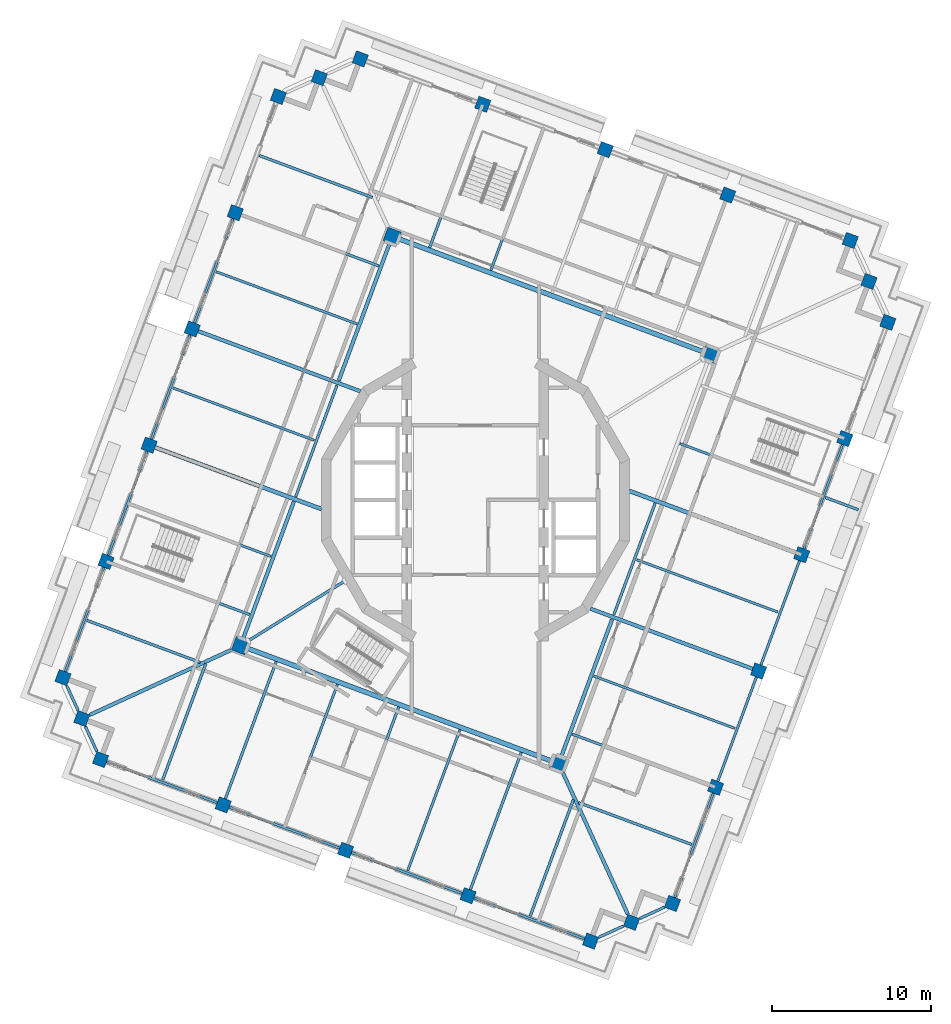
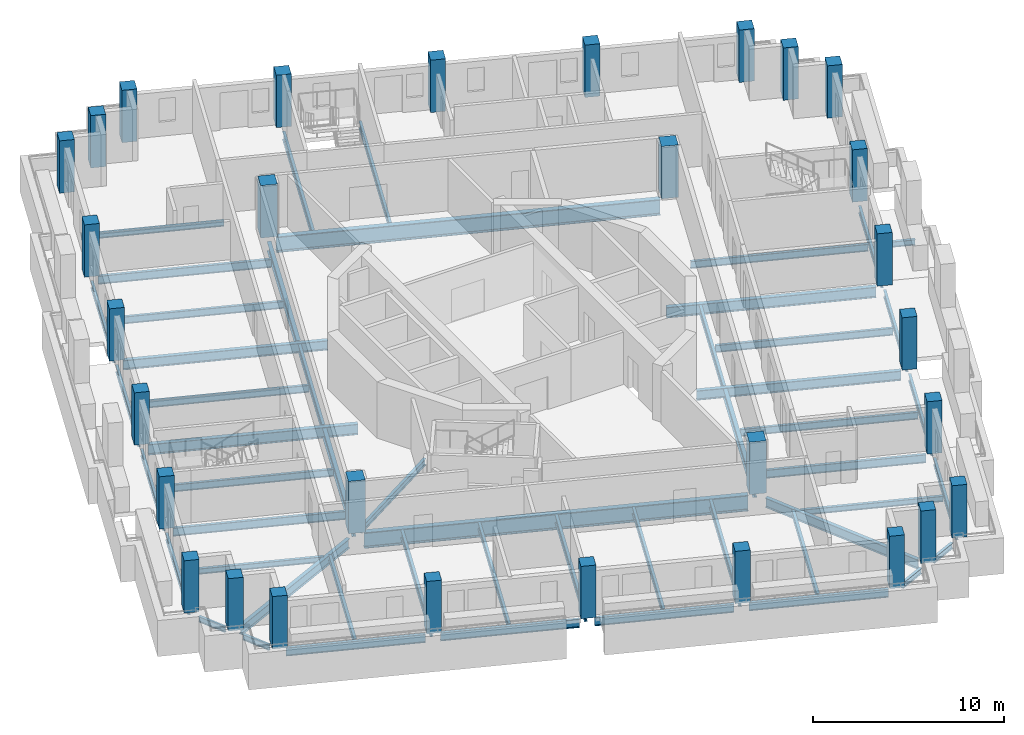
# One storey, part 1 of 18: 52 beams, 30 columns.
"""IFC4 building model written with IfcOpenShell, lengths in metres."""

import ifcopenshell
import ifcopenshell.guid

model = None  # the IFC model being written
_history = None  # IfcOwnerHistory: only IFC2X3 demands one
_inside = {}  # id of a spatial element -> (the spatial element, [elements in it])
_under = {}  # id of a project, library or spatial element -> (it, [spatial elements below it])
_declared = {}  # id of a project -> (the project, [libraries it declares])
_typed = {}  # id of a type object -> (the type object, [elements of that type])
_made_of = {}  # id of a material, layer set ... -> (it, [elements and type objects made of it])


def new_model(schema):
    """Start an empty IFC model of exactly this schema.

    Asked for "IFC4X3", IfcOpenShell would pick the latest addendum, in which some entities
    have other attributes; the version numbers below select the first issue.
    IFC2X3 requires an IfcOwnerHistory on every rooted entity: one is made here for all.
    """
    global model, _history
    if schema == "IFC4X3":
        model = ifcopenshell.file(schema_version=(4, 3, 0, 0))
    else:
        model = ifcopenshell.file(schema=schema)
    _inside.clear()
    _under.clear()
    _declared.clear()
    _typed.clear()
    _made_of.clear()
    _history = None
    if model.schema == "IFC2X3":
        org = make("IfcOrganization", Name="unknown")
        user = make(
            "IfcPersonAndOrganization",
            ThePerson=make("IfcPerson", FamilyName="unknown"),
            TheOrganization=org,
        )
        app = make(
            "IfcApplication",
            ApplicationDeveloper=org,
            Version="unknown",
            ApplicationFullName="unknown",
            ApplicationIdentifier="unknown",
        )
        _history = make(
            "IfcOwnerHistory",
            OwningUser=user,
            OwningApplication=app,
            ChangeAction="ADDED",
            CreationDate=0,
        )
    return model


def make(cls, **values):
    """One entity of the class cls with the attributes given. An attribute that is None is left unset."""
    return model.create_entity(
        cls, **{name: value for name, value in values.items() if value is not None}
    )


def rooted(cls, **values):
    """An entity with a GlobalId (a new one), such as an element, a storey or a relation."""
    return make(cls, GlobalId=ifcopenshell.guid.new(), OwnerHistory=_history, **values)


def si_unit(unit_type, name, prefix=None):
    """IfcSIUnit, for example si_unit("LENGTHUNIT", "METRE", prefix="MILLI")."""
    return make("IfcSIUnit", UnitType=unit_type, Prefix=prefix, Name=name)


def assignment(units):
    """IfcUnitAssignment: the units of a project."""
    return None if units is None else make("IfcUnitAssignment", Units=units)


def point(xyz):
    """IfcCartesianPoint."""
    return None if xyz is None else make("IfcCartesianPoint", Coordinates=xyz)


def direction(xyz):
    """IfcDirection."""
    return None if xyz is None else make("IfcDirection", DirectionRatios=xyz)


def frame(location, z_axis=None, x_axis=None):
    """IfcAxis2Placement3D, a coordinate frame: its origin and axes. An axis left out is left unset."""
    return make(
        "IfcAxis2Placement3D",
        Location=point(location),
        Axis=direction(z_axis),
        RefDirection=direction(x_axis),
    )


def frame_2d(location, x_axis=None):
    """IfcAxis2Placement2D, a coordinate frame in the plane: its origin and x axis."""
    return make(
        "IfcAxis2Placement2D", Location=point(location), RefDirection=direction(x_axis)
    )


def origin():
    """The frame at (0, 0, 0) with its axes left unset."""
    return frame((0.0, 0.0, 0.0))


def origin_2d():
    """The frame at (0, 0) in the plane with its x axis left unset."""
    return frame_2d((0.0, 0.0))


def place(relative_to, where):
    """IfcLocalPlacement: puts the frame where relative to a parent placement (None: the world)."""
    return make(
        "IfcLocalPlacement", PlacementRelTo=relative_to, RelativePlacement=where
    )


def context(
    kind, dimensions, precision=None, world=None, true_north=None, identifier=None
):
    """IfcGeometricRepresentationContext, for example the 3D "Model" context."""
    return make(
        "IfcGeometricRepresentationContext",
        ContextIdentifier=identifier,
        ContextType=kind,
        CoordinateSpaceDimension=dimensions,
        Precision=precision,
        WorldCoordinateSystem=world,
        TrueNorth=true_north,
    )


def subcontext(parent, identifier, kind, view, scale=None):
    """IfcGeometricRepresentationSubContext, for example "Body" below "Model"."""
    return make(
        "IfcGeometricRepresentationSubContext",
        ContextIdentifier=identifier,
        ContextType=kind,
        ParentContext=parent,
        TargetScale=scale,
        TargetView=view,
    )


def project(units=None, contexts=None):
    """IfcProject with its units and contexts."""
    return rooted(
        "IfcProject",
        Name="project",
        RepresentationContexts=contexts,
        UnitsInContext=assignment(units),
    )


def spatial(cls, under=None, at=None, **own):
    """A site, building, storey or space (cls), placed at a placement, below another one or the project."""
    s = rooted(cls, ObjectPlacement=at, **own)
    if under is not None:
        _under.setdefault(under.id(), (under, []))[1].append(s)
    return s


def profile(cls, at=None, kind="AREA", **sizes):
    """A parametric profile (cls). Its sizes go by their IFC names, for example OverallWidth=200.0."""
    return make(cls, ProfileType=kind, Position=at, **sizes)


def rectangle(**sizes):
    """IfcRectangleProfileDef."""
    return profile("IfcRectangleProfileDef", **sizes)


def i_section(**sizes):
    """IfcIShapeProfileDef."""
    return profile("IfcIShapeProfileDef", **sizes)


def extrude(swept, where, along, depth):
    """IfcExtrudedAreaSolid: the profile swept, set in the frame where, extruded along a direction by depth."""
    return make(
        "IfcExtrudedAreaSolid",
        SweptArea=swept,
        Position=where,
        ExtrudedDirection=direction(along),
        Depth=depth,
    )


def shape(context_of_items, identifier, shape_type, items):
    """IfcShapeRepresentation: the items that make up one representation, for example the "Body"."""
    return make(
        "IfcShapeRepresentation",
        ContextOfItems=context_of_items,
        RepresentationIdentifier=identifier,
        RepresentationType=shape_type,
        Items=items,
    )


def material(Name=None, Category=None):
    """IfcMaterial."""
    return make("IfcMaterial", Name=Name, Category=Category)


def material_profile(
    of_material, cross_section, Name=None, Category=None, Priority=None
):
    """IfcMaterialProfile: a cross section and its material."""
    return make(
        "IfcMaterialProfile",
        Name=Name,
        Material=of_material,
        Profile=cross_section,
        Priority=Priority,
        Category=Category,
    )


def profile_set(profiles, Name=None, composite=None):
    """IfcMaterialProfileSet."""
    return make(
        "IfcMaterialProfileSet",
        Name=Name,
        MaterialProfiles=profiles,
        CompositeProfile=composite,
    )


def made_of(thing, what):
    """Note that an element or type object is made of a material, layer set ...; save() writes the relation."""
    if what is not None:
        _made_of.setdefault(what.id(), (what, []))[1].append(thing)
    return thing


def type_object(cls, material=None, **own):
    """A type object (cls), such as IfcWallType, which elements share."""
    return made_of(rooted(cls, **own), material)


def element(
    cls,
    number,
    at=None,
    inside=None,
    cuts=None,
    type_object=None,
    material=None,
    context=None,
    identifier="Body",
    shape_type=None,
    held_by="IfcProductDefinitionShape",
    body=None,
    shapes=None,
    **own,
):
    """One element of the class cls, such as IfcWall. Its Tag is "e" and its number.

    at: its placement. inside: the storey or other place that contains it. cuts: it is an
    opening in that element (IfcRelVoidsElement). A single representation is given by context,
    identifier, shape_type and body (its items); several are given by shapes. held_by: the class
    of the entity that holds the representations. save() writes the other relations.
    """
    e = rooted(cls, Tag="e%d" % number, ObjectPlacement=at, **own)
    if body is not None:
        shapes = [shape(context, identifier, shape_type, body)]
    if shapes is not None:
        e.Representation = make(held_by, Representations=shapes)
    if inside is not None:
        _inside.setdefault(inside.id(), (inside, []))[1].append(e)
    if cuts is not None:
        rooted(
            "IfcRelVoidsElement", RelatingBuildingElement=cuts, RelatedOpeningElement=e
        )
    if type_object is not None:
        _typed.setdefault(type_object.id(), (type_object, []))[1].append(e)
    return made_of(e, material)


def aggregate(whole, parts):
    """IfcRelAggregates: a whole, such as a stair, and the parts it consists of."""
    return rooted("IfcRelAggregates", RelatingObject=whole, RelatedObjects=parts)


def save(model, path):
    """Write the relations noted so far, then the file.

    IfcRelAggregates (storeys below a building ...), IfcRelContainedInSpatialStructure (elements
    in a storey), IfcRelDefinesByType, IfcRelAssociatesMaterial and IfcRelDeclares: one each for
    every whole, place, type object, material and project.
    """
    for whole, parts in _under.values():
        aggregate(whole, parts)
    for where, things in _inside.values():
        rooted(
            "IfcRelContainedInSpatialStructure",
            RelatedElements=things,
            RelatingStructure=where,
        )
    for kind, things in _typed.values():
        rooted("IfcRelDefinesByType", RelatedObjects=things, RelatingType=kind)
    for what, things in _made_of.values():
        rooted("IfcRelAssociatesMaterial", RelatedObjects=things, RelatingMaterial=what)
    for by, libraries in _declared.values():
        rooted("IfcRelDeclares", RelatingContext=by, RelatedDefinitions=libraries)
    model.write(path)


model = new_model("IFC4")

# Units and contexts
model_context = context("Model", 3, precision=1e-05, world=origin(), true_north=direction((0.0, 1.0)))
body_context = subcontext(model_context, "Body", "Model", "MODEL_VIEW")
ifc_project = project(units=[si_unit("LENGTHUNIT", "METRE"), si_unit("AREAUNIT", "SQUARE_METRE"), si_unit("VOLUMEUNIT", "CUBIC_METRE"), si_unit("PLANEANGLEUNIT", "RADIAN"), si_unit("MASSUNIT", "GRAM", prefix="KILO")], contexts=[model_context])

# Site, building, storey
site_placement = place(None, origin())
site = spatial("IfcSite", under=ifc_project, at=site_placement, CompositionType="ELEMENT")
building_placement = place(site_placement, origin())
building = spatial("IfcBuilding", under=site, at=building_placement, Name="Cantera Rosa Tower", CompositionType="ELEMENT")
storey_placement = place(building_placement, frame((0.0, 0.0, 338.5)))
storey = spatial("IfcBuildingStorey", under=building, at=storey_placement, Name="L76", CompositionType="ELEMENT", Elevation=338.5)

# Columns
ifc_material_1 = material(Name="Concrete C50/60", Category="concrete")
ifc_material_profile_1 = material_profile(ifc_material_1, rectangle(XDim=0.800048828125, YDim=0.800048828125, at=origin_2d()), Name="RC COLUMN RC800X800 C50/60")
ifc_profile_set_1 = profile_set([ifc_material_profile_1], Name="Concrete C50/60")
column_type_1 = type_object("IfcColumnType", Name="RC COLUMN RC800X800 C50/60", PredefinedType="COLUMN", material=ifc_profile_set_1)
for number, where, z_axis, x_axis, name in (
    (1, (23.526611328125, 16.2900390625, 0.0), (0.0, 0.0, 1.0), (0.347481234489, 0.937686936924, 0.0), "C-Z6-01 L76"),
    (2, (15.83740234375, 19.139404296875, 0.0), (0.0, 0.0, 1.0), (0.347481234489, 0.937686936924, 0.0), "C-Z6-02 L76"),
    (3, (8.1484375, 21.98876953125, 0.0), (0.0, 0.0, 1.0), (0.347481234489, 0.937686936924, 0.0), "C-Z6-03 L76"),
    (4, (0.45947265625, 24.838134765625, 0.0), (0.0, 0.0, 1.0), (0.347481234489, 0.937686936924, 0.0), "C-Z6-04 L76"),
    (5, (-7.229736328125, 27.6875, 0.0), (0.0, 0.0, 1.0), (0.347481234489, 0.937686936924, 0.0), "C-Z6-05 L76"),
    (6, (-9.800048828125, 26.507080078125, 0.0), (0.0, 0.0, 1.0), (0.347481234489, 0.937686936924, 0.0), "C-Z6-06 L76"),
    (7, (-12.370361328125, 25.32666015625, 0.0), (0.0, 0.0, 1.0), (0.347481234489, 0.937686936924, 0.0), "C-Z6-07 L76"),
    (8, (-15.07373046875, 18.031494140625, 0.0), (0.0, 0.0, 1.0), (0.347481234489, 0.937686936924, 0.0), "C-Z6-08 L76"),
    (9, (-17.777099609375, 10.736328125, 0.0), (0.0, 0.0, 1.0), (0.347481234489, 0.937686936924, 0.0), "C-Z6-09 L76"),
    (10, (-20.48046875, 3.44091796875, 0.0), (0.0, 0.0, 1.0), (0.347481234489, 0.937686936924, 0.0), "C-Z6-10 L76"),
    (11, (-23.183837890625, -3.854248046875, 0.0), (0.0, 0.0, 1.0), (0.347481234489, 0.937686936924, 0.0), "C-Z6-11 L76"),
    (12, (-25.88720703125, -11.1494140625, 0.0), (0.0, 0.0, 1.0), (0.347481234489, 0.937686936924, 0.0), "C-Z6-12 L76"),
    (13, (-24.70703125, -13.7197265625, 0.0), (0.0, 0.0, 1.0), (0.347481234489, 0.937686936924, 0.0), "C-Z6-13 L76"),
    (14, (-23.526611328125, -16.2900390625, 0.0), (0.0, 0.0, 1.0), (0.347481234489, 0.937686936924, 0.0), "C-Z6-14 L76"),
    (15, (-15.83740234375, -19.139404296875, 0.0), (0.0, 0.0, 1.0), (0.347481234489, 0.937686936924, 0.0), "C-Z6-15 L76"),
    (16, (-8.1484375, -21.98876953125, 0.0), (0.0, 0.0, 1.0), (0.347481234489, 0.937686936924, 0.0), "C-Z6-16 L76"),
    (17, (-0.45947265625, -24.838134765625, 0.0), (0.0, 0.0, 1.0), (0.347481234489, 0.937686936924, 0.0), "C-Z6-17 L76"),
    (18, (7.229736328125, -27.6875, 0.0), (0.0, 0.0, 1.0), (0.347481234489, 0.937686936924, 0.0), "C-Z6-18 L76"),
    (19, (9.800048828125, -26.507080078125, 0.0), (0.0, 0.0, 1.0), (0.347481234489, 0.937686936924, 0.0), "C-Z6-19 L76"),
    (20, (12.370361328125, -25.32666015625, 0.0), (0.0, 0.0, 1.0), (0.347481234489, 0.937686936924, 0.0), "C-Z6-20 L76"),
    (21, (15.07373046875, -18.031494140625, 0.0), (0.0, 0.0, 1.0), (0.347481234489, 0.937686936924, 0.0), "C-Z6-21 L76"),
    (22, (17.777099609375, -10.736328125, 0.0), (0.0, 0.0, 1.0), (0.347481234489, 0.937686936924, 0.0), "C-Z6-22 L76"),
    (23, (20.48046875, -3.44091796875, 0.0), (0.0, 0.0, 1.0), (0.347481234489, 0.937686936924, 0.0), "C-Z6-23 L76"),
    (24, (23.183837890625, 3.854248046875, 0.0), (0.0, 0.0, 1.0), (0.347481234489, 0.937686936924, 0.0), "C-Z6-24 L76"),
    (25, (25.88720703125, 11.1494140625, 0.0), (0.0, 0.0, 1.0), (0.347481234489, 0.937686936924, 0.0), "C-Z6-25 L76"),
    (26, (24.70703125, 13.7197265625, 0.0), (0.0, 0.0, 1.0), (0.347481234489, 0.937686936924, 0.0), "C-Z6-26 L76"),
):
    element("IfcColumn", number, at=place(storey_placement, frame(where, z_axis=z_axis, x_axis=x_axis)), inside=storey, type_object=column_type_1, Name=name, PredefinedType="COLUMN", context=body_context, shape_type="SweptSolid", body=[
        extrude(rectangle(XDim=0.800048828125, YDim=0.800048828125, at=origin_2d()), origin(), (0.0, 0.0, 1.0), 3.35009765625),
    ])
ifc_material_2 = material(Name="Concrete C50/60", Category="concrete")
ifc_material_profile_2 = material_profile(ifc_material_2, rectangle(XDim=0.89990234375, YDim=0.89990234375, at=origin_2d()), Name="RC RING COLUMN RC900X900 C50/60")
ifc_profile_set_2 = profile_set([ifc_material_profile_2], Name="Concrete C50/60")
column_type_2 = type_object("IfcColumnType", Name="RC RING COLUMN RC900X900 C50/60", PredefinedType="COLUMN", material=ifc_profile_set_2)
for number, where, z_axis, x_axis, name in (
    (27, (-5.225830078125, 16.546875, 0.0), (0.0, 0.0, 1.0), (0.347481234489, 0.937686936924, 0.0), "CI-Z6-1 L76"),
    (28, (-14.746826171875, -9.145751953125, 0.0), (0.0, 0.0, 1.0), (0.347481234489, 0.937686936924, 0.0), "CI-Z6-2 L76"),
    (29, (5.225830078125, -16.546875, 0.0), (0.0, 0.0, 1.0), (0.347481234489, 0.937686936924, 0.0), "CI-Z6-3 L76"),
    (30, (14.746826171875, 9.145751953125, 0.0), (0.0, 0.0, 1.0), (0.347481234489, 0.937686936924, 0.0), "CI-Z6-4 L76"),
):
    element("IfcColumn", number, at=place(storey_placement, frame(where, z_axis=z_axis, x_axis=x_axis)), inside=storey, type_object=column_type_2, Name=name, PredefinedType="COLUMN", context=body_context, shape_type="SweptSolid", body=[
        extrude(rectangle(XDim=0.89990234375, YDim=0.89990234375, at=origin_2d()), origin(), (0.0, 0.0, 1.0), 3.35009765625),
    ])

# Beams
ifc_material_3 = material(Name="Steel ASTM A992 (Fy 345 MPa)", Category="steel")
ifc_material_profile_3 = material_profile(ifc_material_3, i_section(OverallWidth=0.302001953125, OverallDepth=1.010009765625, WebThickness=0.02099609375, FlangeThickness=0.0400390625, FilletRadius=0.030029296875, at=origin_2d()), Name="W1000X350")
ifc_profile_set_3 = profile_set([ifc_material_profile_3], Name="Steel ASTM A992 (Fy 345 MPa)")
beam_type_1 = type_object("IfcBeamType", Name="STEEL BEAM W1000X350", PredefinedType="BEAM", material=ifc_profile_set_3)
for number, where, z_axis, x_axis, name in (
    (31, (14.324951171875, 9.302001953125, -0.7548828125), (-0.937687392162, 0.347480006017, 0.0), (-0.347480006017, -0.937687392162, 0.0), "RB-Z6-07 L76"),
    (32, (4.803955078125, -16.390625, -0.7548828125), (-0.937687392162, 0.347480006017, 0.0), (-0.347480006017, -0.937687392162, 0.0), "RB-Z6-08 L76"),
):
    element("IfcBeam", number, at=place(storey_placement, frame(where, z_axis=z_axis, x_axis=x_axis)), inside=storey, type_object=beam_type_1, Name=name, PredefinedType="BEAM", context=body_context, shape_type="SweptSolid", body=[
        extrude(i_section(OverallWidth=0.302001953125, OverallDepth=1.010009765625, WebThickness=0.02099609375, FlangeThickness=0.0400390625, FilletRadius=0.030029296875, at=origin_2d()), origin(), (0.0, 0.0, 1.0), 20.400146484375),
    ])
ifc_material_4 = material(Name="Steel ASTM A992 (Fy 345 MPa)", Category="steel")
ifc_material_profile_4 = material_profile(ifc_material_4, i_section(OverallWidth=0.177978515625, OverallDepth=0.406005859375, WebThickness=0.0078125, FlangeThickness=0.0126953125, FilletRadius=0.01025390625, at=origin_2d()), Name="W410X60")
ifc_profile_set_4 = profile_set([ifc_material_profile_4], Name="Steel ASTM A992 (Fy 345 MPa)")
beam_type_2 = type_object("IfcBeamType", Name="STEEL BEAM W410X60", PredefinedType="BEAM", material=ifc_profile_set_4)
beam_1_placement = place(storey_placement, frame((-14.262451171875, -8.84521484375, -0.452880859375), z_axis=(0.849840939707, 0.527039255841, 0.0), x_axis=(-0.527039255841, 0.849840939707, 0.0)))
element("IfcBeam", 33, at=beam_1_placement, inside=storey, type_object=beam_type_2, Name="PG-Z6-01 L76", PredefinedType="BEAM", context=body_context, shape_type="SweptSolid", body=[
    extrude(i_section(OverallWidth=0.177978515625, OverallDepth=0.406005859375, WebThickness=0.0078125, FlangeThickness=0.0126953125, FilletRadius=0.01025390625, at=origin_2d()), origin(), (0.0, 0.0, 1.0), 7.118408203125),
])
ifc_material_5 = material(Name="Steel ASTM A992 (Fy 345 MPa)", Category="steel")
ifc_material_profile_5 = material_profile(ifc_material_5, i_section(OverallWidth=0.166015625, OverallDepth=0.528076171875, WebThickness=0.009765625, FlangeThickness=0.013671875, FilletRadius=0.0126953125, at=origin_2d()), Name="W530X74")
ifc_profile_set_5 = profile_set([ifc_material_profile_5], Name="Steel ASTM A992 (Fy 345 MPa)")
beam_type_3 = type_object("IfcBeamType", Name="STEEL BEAM W530X74", PredefinedType="BEAM", material=ifc_profile_set_5)
for number, where, z_axis, x_axis, name in (
    (34, (0.3203125, 24.463134765625, -0.513916015625), (-0.347476838353, -0.937688566, 0.0), (0.937688566, -0.347476838353, 0.0), "G-Z6-03 L76"),
    (35, (-14.69873046875, 17.892333984375, -0.513916015625), (0.937688566, -0.347476838353, 0.0), (0.347476838353, 0.937688566, 0.0), "G-Z6-04 L76"),
    (36, (-22.808837890625, -3.9931640625, -0.513916015625), (0.937688566, -0.347476838353, 0.0), (0.347476838353, 0.937688566, 0.0), "G-Z6-07 L76"),
    (37, (14.69873046875, -17.892333984375, -0.513916015625), (-0.937688566, 0.347476838353, 0.0), (-0.347476838353, -0.937688566, 0.0), "G-Z6-08 L76"),
    (38, (-15.698486328125, -18.764404296875, -0.513916015625), (0.347476838353, 0.937688566, 0.0), (-0.937688566, 0.347476838353, 0.0), "G-Z6-12 L76"),
    (39, (-8.009521484375, -21.61376953125, -0.513916015625), (0.34750017104, 0.937679919337, 0.0), (-0.937679919337, 0.34750017104, 0.0), "G-Z6-13 L76"),
    (40, (-0.3203125, -24.463134765625, -0.513916015625), (0.347476838353, 0.937688566, 0.0), (-0.937688566, 0.347476838353, 0.0), "G-Z6-14 L76"),
):
    element("IfcBeam", number, at=place(storey_placement, frame(where, z_axis=z_axis, x_axis=x_axis)), inside=storey, type_object=beam_type_3, Name=name, PredefinedType="BEAM", context=body_context, shape_type="SweptSolid", body=[
        extrude(i_section(OverallWidth=0.166015625, OverallDepth=0.528076171875, WebThickness=0.009765625, FlangeThickness=0.013671875, FilletRadius=0.0126953125, at=origin_2d()), origin(), (0.0, 0.0, 1.0), 9.199951171875),
    ])
for number, where, z_axis, x_axis, name in (
    (41, (-11.285888671875, 0.19384765625, -0.513916015625), (0.347486566882, 0.937684960867, 0.0), (-0.937684960867, 0.347486566882, 0.0), "RB-Z6-02 L76"),
    (42, (8.686767578125, -7.20751953125, -0.513916015625), (0.347486566882, 0.937684960867, 0.0), (-0.937684960867, 0.347486566882, 0.0), "RB-Z6-05 L76"),
):
    element("IfcBeam", number, at=place(storey_placement, frame(where, z_axis=z_axis, x_axis=x_axis)), inside=storey, type_object=beam_type_3, Name=name, PredefinedType="BEAM", context=body_context, shape_type="SweptSolid", body=[
        extrude(i_section(OverallWidth=0.166015625, OverallDepth=0.528076171875, WebThickness=0.009765625, FlangeThickness=0.013671875, FilletRadius=0.0126953125, at=origin_2d()), origin(), (0.0, 0.0, 1.0), 7.479736328125),
    ])
ifc_material_6 = material(Name="Steel ASTM A992 (Fy 345 MPa)", Category="steel")
ifc_material_profile_6 = material_profile(ifc_material_6, i_section(OverallWidth=0.22802734375, OverallDepth=0.60205078125, WebThickness=0.010498046875, FlangeThickness=0.014892578125, FilletRadius=0.0126953125, at=origin_2d()), Name="W610X101")
ifc_profile_set_6 = profile_set([ifc_material_profile_6], Name="Steel ASTM A992 (Fy 345 MPa)")
beam_type_4 = type_object("IfcBeamType", Name="STEEL BEAM W610X101", PredefinedType="BEAM", material=ifc_profile_set_6)
for number, where, z_axis, x_axis, name in (
    (43, (-24.19287109375, -13.483642578125, -0.551025390625), (0.908747889595, 0.417345508131, 0.0), (-0.417345508131, 0.908747889595, 0.0), "CB-Z6-02 L76"),
    (44, (9.56396484375, -25.992919921875, -0.551025390625), (-0.417345508131, 0.908747889595, 0.0), (-0.908747889595, -0.417345508131, 0.0), "CB-Z6-03 L76"),
):
    element("IfcBeam", number, at=place(storey_placement, frame(where, z_axis=z_axis, x_axis=x_axis)), inside=storey, type_object=beam_type_4, Name=name, PredefinedType="BEAM", context=body_context, shape_type="SweptSolid", body=[
        extrude(i_section(OverallWidth=0.22802734375, OverallDepth=0.60205078125, WebThickness=0.010498046875, FlangeThickness=0.014892578125, FilletRadius=0.0126953125, at=origin_2d()), origin(), (0.0, 0.0, 1.0), 9.758056640625),
    ])
for number, where, z_axis, x_axis, name in (
    (45, (-14.590576171875, -8.7236328125, -0.551025390625), (0.347498244979, 0.937680633125, 0.0), (-0.937680633125, 0.347498244979, 0.0), "RB-Z6-01 L76"),
    (46, (-8.58251953125, 7.489013671875, -0.551025390625), (0.347474937304, 0.937689270465, 0.0), (-0.937689270465, 0.347474937304, 0.0), "RB-Z6-03 L76"),
    (47, (5.38232421875, -16.125, -0.551025390625), (0.347474937304, 0.937689270465, 0.0), (-0.937689270465, 0.347474937304, 0.0), "RB-Z6-04 L76"),
):
    element("IfcBeam", number, at=place(storey_placement, frame(where, z_axis=z_axis, x_axis=x_axis)), inside=storey, type_object=beam_type_4, Name=name, PredefinedType="BEAM", context=body_context, shape_type="SweptSolid", body=[
        extrude(i_section(OverallWidth=0.22802734375, OverallDepth=0.60205078125, WebThickness=0.010498046875, FlangeThickness=0.014892578125, FilletRadius=0.0126953125, at=origin_2d()), origin(), (0.0, 0.0, 1.0), 9.2099609375),
    ])
ifc_material_7 = material(Name="Steel ASTM A992 (Fy 345 MPa)", Category="steel")
ifc_material_profile_7 = material_profile(ifc_material_7, i_section(OverallWidth=0.22900390625, OverallDepth=0.612060546875, WebThickness=0.011962890625, FlangeThickness=0.01953125, FilletRadius=0.0126953125, at=origin_2d()), Name="W610X125")
ifc_profile_set_7 = profile_set([ifc_material_profile_7], Name="Steel ASTM A992 (Fy 345 MPa)")
beam_type_5 = type_object("IfcBeamType", Name="STEEL BEAM W610X125", PredefinedType="BEAM", material=ifc_profile_set_7)
for number, where, z_axis, x_axis, name in (
    (48, (-17.402099609375, 10.59716796875, -0.555908203125), (0.937686127687, -0.347483418229, 0.0), (0.347483418229, 0.937686127687, 0.0), "G-Z6-05 L76"),
    (49, (17.402099609375, -10.59716796875, -0.555908203125), (-0.937686127687, 0.347483418229, 0.0), (-0.347483418229, -0.937686127687, 0.0), "G-Z6-09 L76"),
):
    element("IfcBeam", number, at=place(storey_placement, frame(where, z_axis=z_axis, x_axis=x_axis)), inside=storey, type_object=beam_type_5, Name=name, PredefinedType="BEAM", context=body_context, shape_type="SweptSolid", body=[
        extrude(i_section(OverallWidth=0.22900390625, OverallDepth=0.612060546875, WebThickness=0.011962890625, FlangeThickness=0.01953125, FilletRadius=0.0126953125, at=origin_2d()), origin(), (0.0, 0.0, 1.0), 10.8642578125),
    ])
ifc_material_8 = material(Name="Steel ASTM A992 (Fy 345 MPa)", Category="steel")
ifc_material_profile_8 = material_profile(ifc_material_8, i_section(OverallWidth=0.25390625, OverallDepth=0.677978515625, WebThickness=0.01171875, FlangeThickness=0.016357421875, FilletRadius=0.01513671875, at=origin_2d()), Name="W690X125")
ifc_profile_set_8 = profile_set([ifc_material_profile_8], Name="Steel ASTM A992 (Fy 345 MPa)")
beam_type_6 = type_object("IfcBeamType", Name="STEEL BEAM W690X125", PredefinedType="BEAM", material=ifc_profile_set_8)
for number, where, z_axis, x_axis, name in (
    (50, (-20.10546875, 3.302001953125, -0.589111328125), (0.937687416585, -0.347479940109, 0.0), (0.347479940109, 0.937687416585, 0.0), "G-Z6-06 L76"),
    (51, (20.10546875, -3.302001953125, -0.589111328125), (-0.937687416585, 0.347479940109, 0.0), (-0.347479940109, -0.937687416585, 0.0), "G-Z6-10 L76"),
):
    element("IfcBeam", number, at=place(storey_placement, frame(where, z_axis=z_axis, x_axis=x_axis)), inside=storey, type_object=beam_type_6, Name=name, PredefinedType="BEAM", context=body_context, shape_type="SweptSolid", body=[
        extrude(i_section(OverallWidth=0.25390625, OverallDepth=0.677978515625, WebThickness=0.01171875, FlangeThickness=0.016357421875, FilletRadius=0.01513671875, at=origin_2d()), origin(), (0.0, 0.0, 1.0), 11.140380859375),
    ])
ifc_material_9 = material(Name="Steel ASTM A992 (Fy 345 MPa)", Category="steel")
ifc_material_profile_9 = material_profile(ifc_material_9, i_section(OverallWidth=0.1708984375, OverallDepth=0.35595703125, WebThickness=0.00732421875, FlangeThickness=0.01171875, FilletRadius=0.010009765625, at=origin_2d()), Name="W360X51")
ifc_profile_set_9 = profile_set([ifc_material_profile_9], Name="Steel ASTM A992 (Fy 345 MPa)")
beam_type_7 = type_object("IfcBeamType", Name="STEEL JOIST W360X51", PredefinedType="JOIST", material=ifc_profile_set_9)
beam_2_placement = place(storey_placement, frame((-13.581298828125, 21.626953125, -0.427978515625), z_axis=(0.93768239316, -0.347493495705, 0.0), x_axis=(0.347493495705, 0.93768239316, 0.0)))
element("IfcBeam", 52, at=beam_2_placement, inside=storey, type_object=beam_type_7, Name="B-Z6-05 L76", PredefinedType="JOIST", context=body_context, shape_type="SweptSolid", body=[
    extrude(i_section(OverallWidth=0.1708984375, OverallDepth=0.35595703125, WebThickness=0.00732421875, FlangeThickness=0.01171875, FilletRadius=0.010009765625, at=origin_2d()), origin(), (0.0, 0.0, 1.0), 7.58984375),
])
beam_3_placement = place(storey_placement, frame((-24.39501953125, -7.553955078125, -0.427978515625), z_axis=(0.937686277131, -0.347483014951, 0.0), x_axis=(0.347483014951, 0.937686277131, 0.0)))
element("IfcBeam", 53, at=beam_3_placement, inside=storey, type_object=beam_type_7, Name="B-Z6-09 L76", PredefinedType="JOIST", context=body_context, shape_type="SweptSolid", body=[
    extrude(i_section(OverallWidth=0.1708984375, OverallDepth=0.35595703125, WebThickness=0.00732421875, FlangeThickness=0.01171875, FilletRadius=0.010009765625, at=origin_2d()), origin(), (0.0, 0.0, 1.0), 7.590087890625),
])
beam_4_placement = place(storey_placement, frame((13.581298828125, -21.626953125, -0.427978515625), z_axis=(-0.93768239316, 0.347493495705, 0.0), x_axis=(-0.347493495705, -0.93768239316, 0.0)))
element("IfcBeam", 54, at=beam_4_placement, inside=storey, type_object=beam_type_7, Name="B-Z6-10 L76", PredefinedType="JOIST", context=body_context, shape_type="SweptSolid", body=[
    extrude(i_section(OverallWidth=0.1708984375, OverallDepth=0.35595703125, WebThickness=0.00732421875, FlangeThickness=0.01171875, FilletRadius=0.010009765625, at=origin_2d()), origin(), (0.0, 0.0, 1.0), 7.58984375),
])
for number, where, z_axis, x_axis, name in (
    (55, (-19.6298828125, -17.573974609375, -0.427978515625), (0.347491728417, 0.937683048093, 0.0), (-0.937683048093, 0.347491728417, 0.0), "B-Z6-15 L76"),
    (56, (3.437255859375, -26.1220703125, -0.427978515625), (0.347491728417, 0.937683048093, 0.0), (-0.937683048093, 0.347491728417, 0.0), "B-Z6-18 L76"),
):
    element("IfcBeam", number, at=place(storey_placement, frame(where, z_axis=z_axis, x_axis=x_axis)), inside=storey, type_object=beam_type_7, Name=name, PredefinedType="JOIST", context=body_context, shape_type="SweptSolid", body=[
        extrude(i_section(OverallWidth=0.1708984375, OverallDepth=0.35595703125, WebThickness=0.00732421875, FlangeThickness=0.01171875, FilletRadius=0.010009765625, at=origin_2d()), origin(), (0.0, 0.0, 1.0), 7.800048828125),
    ])
beam_5_placement = place(storey_placement, frame((21.9541015625, 0.161376953125, -0.427978515625), z_axis=(0.93768769141, -0.347479198483, 0.0), x_axis=(0.347479198483, 0.93768769141, 0.0)))
element("IfcBeam", 57, at=beam_5_placement, inside=storey, type_object=beam_type_7, Name="BS-Z6-06 L76", PredefinedType="JOIST", context=body_context, shape_type="SweptSolid", body=[
    extrude(i_section(OverallWidth=0.1708984375, OverallDepth=0.35595703125, WebThickness=0.00732421875, FlangeThickness=0.01171875, FilletRadius=0.010009765625, at=origin_2d()), origin(), (0.0, 0.0, 1.0), 2.21875),
])
ifc_material_10 = material(Name="Steel ASTM A992 (Fy 345 MPa)", Category="steel")
ifc_material_profile_10 = material_profile(ifc_material_10, i_section(OverallWidth=0.154052734375, OverallDepth=0.4599609375, WebThickness=0.009033203125, FlangeThickness=0.015380859375, FilletRadius=0.01025390625, at=origin_2d()), Name="W460X68")
ifc_profile_set_10 = profile_set([ifc_material_profile_10], Name="Steel ASTM A992 (Fy 345 MPa)")
beam_type_8 = type_object("IfcBeamType", Name="STEEL JOIST W460X68", PredefinedType="JOIST", material=ifc_profile_set_10)
for number, where, z_axis, x_axis, name in (
    (58, (4.251708984375, 23.272705078125, -0.47998046875), (-0.347482637031, -0.937686417179, 0.0), (0.937686417179, -0.347482637031, 0.0), "B-Z6-03 L76"),
    (59, (-16.28466796875, 14.331787109375, -0.47998046875), (0.937686417179, -0.347482637031, 0.0), (0.347482637031, 0.937686417179, 0.0), "B-Z6-06 L76"),
):
    element("IfcBeam", number, at=place(storey_placement, frame(where, z_axis=z_axis, x_axis=x_axis)), inside=storey, type_object=beam_type_8, Name=name, PredefinedType="JOIST", context=body_context, shape_type="SweptSolid", body=[
        extrude(i_section(OverallWidth=0.154052734375, OverallDepth=0.4599609375, WebThickness=0.009033203125, FlangeThickness=0.015380859375, FilletRadius=0.01025390625, at=origin_2d()), origin(), (0.0, 0.0, 1.0), 9.449951171875),
    ])
for number, where, z_axis, x_axis, name in (
    (60, (-18.98828125, 7.036376953125, -0.47998046875), (0.937689536508, -0.347474219364, 0.0), (0.347474219364, 0.937689536508, 0.0), "B-Z6-07 L76"),
    (61, (-21.691650390625, -0.2587890625, -0.47998046875), (0.937689536508, -0.347474219364, 0.0), (0.347474219364, 0.937689536508, 0.0), "B-Z6-08 L76"),
):
    element("IfcBeam", number, at=place(storey_placement, frame(where, z_axis=z_axis, x_axis=x_axis)), inside=storey, type_object=beam_type_8, Name=name, PredefinedType="JOIST", context=body_context, shape_type="SweptSolid", body=[
        extrude(i_section(OverallWidth=0.154052734375, OverallDepth=0.4599609375, WebThickness=0.009033203125, FlangeThickness=0.015380859375, FilletRadius=0.01025390625, at=origin_2d()), origin(), (0.0, 0.0, 1.0), 9.4501953125),
    ])
beam_6_placement = place(storey_placement, frame((16.28466796875, -14.331787109375, -0.47998046875), z_axis=(-0.937686417179, 0.347482637031, 0.0), x_axis=(-0.347482637031, -0.937686417179, 0.0)))
element("IfcBeam", 62, at=beam_6_placement, inside=storey, type_object=beam_type_8, Name="B-Z6-11 L76", PredefinedType="JOIST", context=body_context, shape_type="SweptSolid", body=[
    extrude(i_section(OverallWidth=0.154052734375, OverallDepth=0.4599609375, WebThickness=0.009033203125, FlangeThickness=0.015380859375, FilletRadius=0.01025390625, at=origin_2d()), origin(), (0.0, 0.0, 1.0), 9.449951171875),
])
for number, where, z_axis, x_axis, name in (
    (63, (18.98828125, -7.036376953125, -0.47998046875), (-0.937689536508, 0.347474219364, 0.0), (-0.347474219364, -0.937689536508, 0.0), "B-Z6-12 L76"),
    (64, (21.691650390625, 0.2587890625, -0.47998046875), (-0.937689536508, 0.347474219364, 0.0), (-0.347474219364, -0.937689536508, 0.0), "B-Z6-13 L76"),
):
    element("IfcBeam", number, at=place(storey_placement, frame(where, z_axis=z_axis, x_axis=x_axis)), inside=storey, type_object=beam_type_8, Name=name, PredefinedType="JOIST", context=body_context, shape_type="SweptSolid", body=[
        extrude(i_section(OverallWidth=0.154052734375, OverallDepth=0.4599609375, WebThickness=0.009033203125, FlangeThickness=0.015380859375, FilletRadius=0.01025390625, at=origin_2d()), origin(), (0.0, 0.0, 1.0), 9.4501953125),
    ])
for number, where, z_axis, x_axis, name in (
    (65, (-11.94091796875, -20.42333984375, -0.47998046875), (0.347482637031, 0.937686417179, 0.0), (-0.937686417179, 0.347482637031, 0.0), "B-Z6-16 L76"),
    (66, (-4.251708984375, -23.272705078125, -0.47998046875), (0.347482637031, 0.937686417179, 0.0), (-0.937686417179, 0.347482637031, 0.0), "B-Z6-17 L76"),
):
    element("IfcBeam", number, at=place(storey_placement, frame(where, z_axis=z_axis, x_axis=x_axis)), inside=storey, type_object=beam_type_8, Name=name, PredefinedType="JOIST", context=body_context, shape_type="SweptSolid", body=[
        extrude(i_section(OverallWidth=0.154052734375, OverallDepth=0.4599609375, WebThickness=0.009033203125, FlangeThickness=0.015380859375, FilletRadius=0.01025390625, at=origin_2d()), origin(), (0.0, 0.0, 1.0), 9.449951171875),
    ])
ifc_material_11 = material(Name="Steel ASTM A992 (Fy 345 MPa)", Category="steel")
ifc_material_profile_11 = material_profile(ifc_material_11, i_section(OverallWidth=0.1708984375, OverallDepth=0.35595703125, WebThickness=0.00732421875, FlangeThickness=0.01171875, FilletRadius=0.010009765625, at=origin_2d()), Name="W360X51")
ifc_profile_set_11 = profile_set([ifc_material_profile_11], Name="Steel ASTM A992 (Fy 345 MPa)")
beam_type_9 = type_object("IfcBeamType", Name="STEEL SPANDREL BEAM W360X51", PredefinedType="SPANDREL", material=ifc_profile_set_11)
for number, where, z_axis, x_axis, name in (
    (67, (-25.651123046875, -11.66357421875, -0.427978515625), (0.417268968709, -0.908783036677, 0.0), (0.908783036677, 0.417268968709, 0.0), "EB-Z6-12 L76"),
    (68, (-24.470947265625, -14.23388671875, -0.427978515625), (0.417387791404, -0.908728469669, 0.0), (0.908728469669, 0.417387791404, 0.0), "EB-Z6-13 L76"),
):
    element("IfcBeam", number, at=place(storey_placement, frame(where, z_axis=z_axis, x_axis=x_axis)), inside=storey, type_object=beam_type_9, Name=name, PredefinedType="SPANDREL", context=body_context, shape_type="SweptSolid", body=[
        extrude(i_section(OverallWidth=0.1708984375, OverallDepth=0.35595703125, WebThickness=0.00732421875, FlangeThickness=0.01171875, FilletRadius=0.010009765625, at=origin_2d()), origin(), (0.0, 0.0, 1.0), 1.69677734375),
    ])
for number, where, z_axis, x_axis, name in (
    (69, (7.74365234375, -27.451416015625, -0.427978515625), (0.908753529973, 0.417333226286, 0.0), (-0.417333226286, 0.908753529973, 0.0), "EB-Z6-18 L76"),
    (70, (10.31396484375, -26.27099609375, -0.427978515625), (0.908753529973, 0.417333226286, 0.0), (-0.417333226286, 0.908753529973, 0.0), "EB-Z6-19 L76"),
):
    element("IfcBeam", number, at=place(storey_placement, frame(where, z_axis=z_axis, x_axis=x_axis)), inside=storey, type_object=beam_type_9, Name=name, PredefinedType="SPANDREL", context=body_context, shape_type="SweptSolid", body=[
        extrude(i_section(OverallWidth=0.1708984375, OverallDepth=0.35595703125, WebThickness=0.00732421875, FlangeThickness=0.01171875, FilletRadius=0.010009765625, at=origin_2d()), origin(), (0.0, 0.0, 1.0), 1.697021484375),
    ])
ifc_material_12 = material(Name="Steel ASTM A992 (Fy 345 MPa)", Category="steel")
ifc_material_profile_12 = material_profile(ifc_material_12, i_section(OverallWidth=0.154052734375, OverallDepth=0.4599609375, WebThickness=0.009033203125, FlangeThickness=0.015380859375, FilletRadius=0.01025390625, at=origin_2d()), Name="W460X68")
ifc_profile_set_12 = profile_set([ifc_material_profile_12], Name="Steel ASTM A992 (Fy 345 MPa)")
beam_type_10 = type_object("IfcBeamType", Name="STEEL SPANDREL BEAM W460X68", PredefinedType="SPANDREL", material=ifc_profile_set_12)
for number, where, z_axis, x_axis, name in (
    (71, (-15.212646484375, 17.65625, -0.47998046875), (-0.347502316452, -0.937679124253, 0.0), (0.937679124253, -0.347502316452, 0.0), "EB-Z6-08 L76"),
    (72, (-17.916015625, 10.361083984375, -0.47998046875), (-0.347502316452, -0.937679124253, 0.0), (0.937679124253, -0.347502316452, 0.0), "EB-Z6-09 L76"),
):
    element("IfcBeam", number, at=place(storey_placement, frame(where, z_axis=z_axis, x_axis=x_axis)), inside=storey, type_object=beam_type_10, Name=name, PredefinedType="SPANDREL", context=body_context, shape_type="SweptSolid", body=[
        extrude(i_section(OverallWidth=0.154052734375, OverallDepth=0.4599609375, WebThickness=0.009033203125, FlangeThickness=0.015380859375, FilletRadius=0.01025390625, at=origin_2d()), origin(), (0.0, 0.0, 1.0), 6.97998046875),
    ])
beam_7_placement = place(storey_placement, frame((-20.61962890625, 3.06591796875, -0.47998046875), z_axis=(-0.347471562124, -0.937690521182, 0.0), x_axis=(0.937690521182, -0.347471562124, 0.0)))
element("IfcBeam", 73, at=beam_7_placement, inside=storey, type_object=beam_type_10, Name="EB-Z6-10 L76", PredefinedType="SPANDREL", context=body_context, shape_type="SweptSolid", body=[
    extrude(i_section(OverallWidth=0.154052734375, OverallDepth=0.4599609375, WebThickness=0.009033203125, FlangeThickness=0.015380859375, FilletRadius=0.01025390625, at=origin_2d()), origin(), (0.0, 0.0, 1.0), 6.979736328125),
])
beam_8_placement = place(storey_placement, frame((-23.322998046875, -4.229248046875, -0.47998046875), z_axis=(-0.347460165909, -0.937694744097, 0.0), x_axis=(0.937694744097, -0.347460165909, 0.0)))
element("IfcBeam", 74, at=beam_8_placement, inside=storey, type_object=beam_type_10, Name="EB-Z6-11 L76", PredefinedType="SPANDREL", context=body_context, shape_type="SweptSolid", body=[
    extrude(i_section(OverallWidth=0.154052734375, OverallDepth=0.4599609375, WebThickness=0.009033203125, FlangeThickness=0.015380859375, FilletRadius=0.01025390625, at=origin_2d()), origin(), (0.0, 0.0, 1.0), 6.97998046875),
])
beam_9_placement = place(storey_placement, frame((12.50927734375, -24.95166015625, -0.47998046875), z_axis=(0.347490919506, 0.937683347864, 0.0), x_axis=(-0.937683347864, 0.347490919506, 0.0)))
element("IfcBeam", 75, at=beam_9_placement, inside=storey, type_object=beam_type_10, Name="EB-Z6-20 L76", PredefinedType="SPANDREL", context=body_context, shape_type="SweptSolid", body=[
    extrude(i_section(OverallWidth=0.154052734375, OverallDepth=0.4599609375, WebThickness=0.009033203125, FlangeThickness=0.015380859375, FilletRadius=0.01025390625, at=origin_2d()), origin(), (0.0, 0.0, 1.0), 6.980224609375),
])
for number, where, z_axis, x_axis, name in (
    (76, (15.212646484375, -17.65625, -0.47998046875), (0.347502316452, 0.937679124253, 0.0), (-0.937679124253, 0.347502316452, 0.0), "EB-Z6-21 L76"),
    (77, (17.916015625, -10.361083984375, -0.47998046875), (0.347502316452, 0.937679124253, 0.0), (-0.937679124253, 0.347502316452, 0.0), "EB-Z6-22 L76"),
):
    element("IfcBeam", number, at=place(storey_placement, frame(where, z_axis=z_axis, x_axis=x_axis)), inside=storey, type_object=beam_type_10, Name=name, PredefinedType="SPANDREL", context=body_context, shape_type="SweptSolid", body=[
        extrude(i_section(OverallWidth=0.154052734375, OverallDepth=0.4599609375, WebThickness=0.009033203125, FlangeThickness=0.015380859375, FilletRadius=0.01025390625, at=origin_2d()), origin(), (0.0, 0.0, 1.0), 6.97998046875),
    ])
beam_10_placement = place(storey_placement, frame((20.61962890625, -3.06591796875, -0.47998046875), z_axis=(0.347471562124, 0.937690521182, 0.0), x_axis=(-0.937690521182, 0.347471562124, 0.0)))
element("IfcBeam", 78, at=beam_10_placement, inside=storey, type_object=beam_type_10, Name="EB-Z6-23 L76", PredefinedType="SPANDREL", context=body_context, shape_type="SweptSolid", body=[
    extrude(i_section(OverallWidth=0.154052734375, OverallDepth=0.4599609375, WebThickness=0.009033203125, FlangeThickness=0.015380859375, FilletRadius=0.01025390625, at=origin_2d()), origin(), (0.0, 0.0, 1.0), 6.979736328125),
])
ifc_material_13 = material(Name="Steel ASTM A992 (Fy 345 MPa)", Category="steel")
ifc_material_profile_13 = material_profile(ifc_material_13, i_section(OverallWidth=0.166015625, OverallDepth=0.528076171875, WebThickness=0.009765625, FlangeThickness=0.013671875, FilletRadius=0.0126953125, at=origin_2d()), Name="W530X74")
ifc_profile_set_13 = profile_set([ifc_material_profile_13], Name="Steel ASTM A992 (Fy 345 MPa)")
beam_type_11 = type_object("IfcBeamType", Name="STEEL SPANDREL BEAM W530X74", PredefinedType="SPANDREL", material=ifc_profile_set_13)
beam_11_placement = place(storey_placement, frame((-23.1513671875, -16.428955078125, -0.513916015625), z_axis=(0.937676706507, -0.347508840281, 0.0), x_axis=(0.347508840281, 0.937676706507, 0.0)))
element("IfcBeam", 79, at=beam_11_placement, inside=storey, type_object=beam_type_11, Name="EB-Z6-14 L76", PredefinedType="SPANDREL", context=body_context, shape_type="SweptSolid", body=[
    extrude(i_section(OverallWidth=0.166015625, OverallDepth=0.528076171875, WebThickness=0.009765625, FlangeThickness=0.013671875, FilletRadius=0.0126953125, at=origin_2d()), origin(), (0.0, 0.0, 1.0), 7.39990234375),
])
for number, where, z_axis, x_axis, name in (
    (80, (-15.46240234375, -19.2783203125, -0.513916015625), (0.937680690562, -0.34749808999, 0.0), (0.34749808999, 0.937680690562, 0.0), "EB-Z6-15 L76"),
    (81, (-7.7734375, -22.127685546875, -0.513916015625), (0.937680690562, -0.34749808999, 0.0), (0.34749808999, 0.937680690562, 0.0), "EB-Z6-16 L76"),
):
    element("IfcBeam", number, at=place(storey_placement, frame(where, z_axis=z_axis, x_axis=x_axis)), inside=storey, type_object=beam_type_11, Name=name, PredefinedType="SPANDREL", context=body_context, shape_type="SweptSolid", body=[
        extrude(i_section(OverallWidth=0.166015625, OverallDepth=0.528076171875, WebThickness=0.009765625, FlangeThickness=0.013671875, FilletRadius=0.0126953125, at=origin_2d()), origin(), (0.0, 0.0, 1.0), 7.400146484375),
    ])
beam_12_placement = place(storey_placement, frame((-0.084228515625, -24.97705078125, -0.513916015625), z_axis=(0.937687456783, -0.347479831633, 0.0), x_axis=(0.347479831633, 0.937687456783, 0.0)))
element("IfcBeam", 82, at=beam_12_placement, inside=storey, type_object=beam_type_11, Name="EB-Z6-17 L76", PredefinedType="SPANDREL", context=body_context, shape_type="SweptSolid", body=[
    extrude(i_section(OverallWidth=0.166015625, OverallDepth=0.528076171875, WebThickness=0.009765625, FlangeThickness=0.013671875, FilletRadius=0.0126953125, at=origin_2d()), origin(), (0.0, 0.0, 1.0), 7.39990234375),
])

save(model, "model.ifc")
